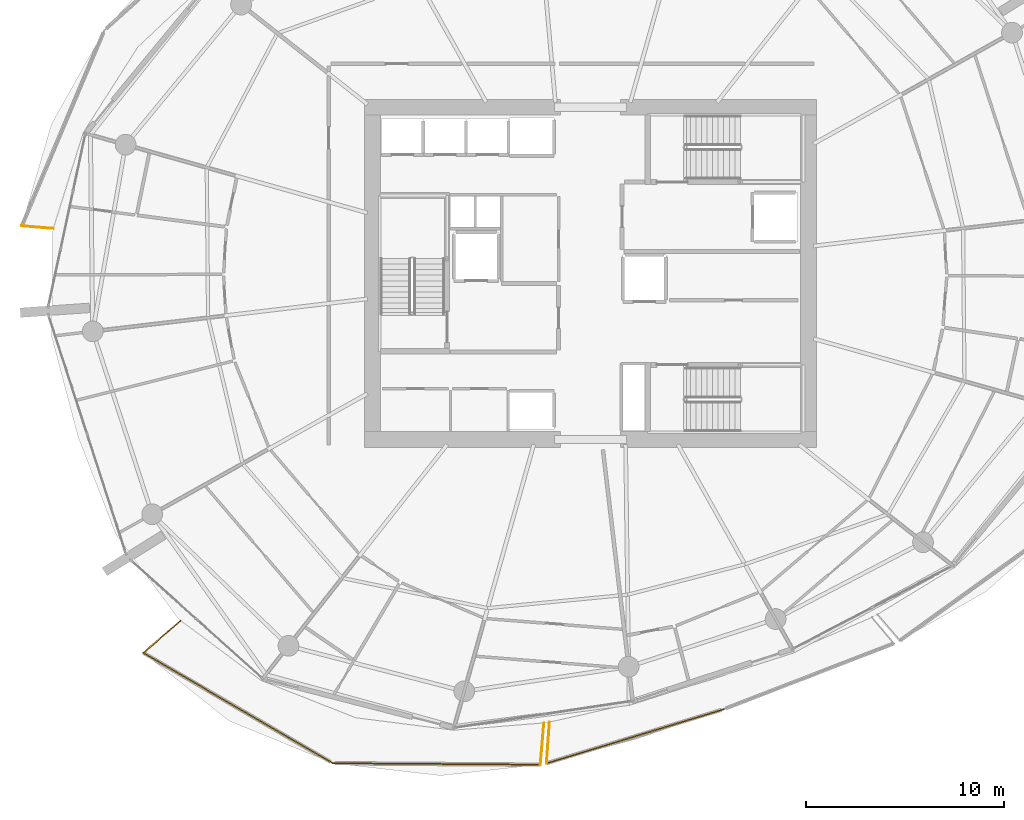
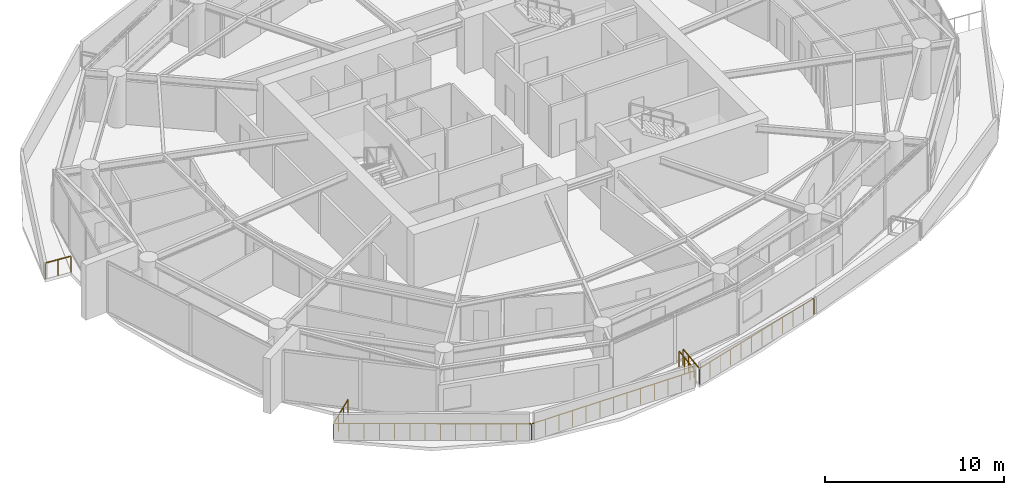
# One storey, part 16 of 20: 7 railings.
"""IFC4 building model written with IfcOpenShell, lengths in metres."""

import ifcopenshell
import ifcopenshell.guid

model = None  # the IFC model being written
_history = None  # IfcOwnerHistory: only IFC2X3 demands one
_inside = {}  # id of a spatial element -> (the spatial element, [elements in it])
_under = {}  # id of a project, library or spatial element -> (it, [spatial elements below it])
_declared = {}  # id of a project -> (the project, [libraries it declares])
_typed = {}  # id of a type object -> (the type object, [elements of that type])
_made_of = {}  # id of a material, layer set ... -> (it, [elements and type objects made of it])


def new_model(schema):
    """Start an empty IFC model of exactly this schema.

    Asked for "IFC4X3", IfcOpenShell would pick the latest addendum, in which some entities
    have other attributes; the version numbers below select the first issue.
    IFC2X3 requires an IfcOwnerHistory on every rooted entity: one is made here for all.
    """
    global model, _history
    if schema == "IFC4X3":
        model = ifcopenshell.file(schema_version=(4, 3, 0, 0))
    else:
        model = ifcopenshell.file(schema=schema)
    _inside.clear()
    _under.clear()
    _declared.clear()
    _typed.clear()
    _made_of.clear()
    _history = None
    if model.schema == "IFC2X3":
        org = make("IfcOrganization", Name="unknown")
        user = make(
            "IfcPersonAndOrganization",
            ThePerson=make("IfcPerson", FamilyName="unknown"),
            TheOrganization=org,
        )
        app = make(
            "IfcApplication",
            ApplicationDeveloper=org,
            Version="unknown",
            ApplicationFullName="unknown",
            ApplicationIdentifier="unknown",
        )
        _history = make(
            "IfcOwnerHistory",
            OwningUser=user,
            OwningApplication=app,
            ChangeAction="ADDED",
            CreationDate=0,
        )
    return model


def make(cls, **values):
    """One entity of the class cls with the attributes given. An attribute that is None is left unset."""
    return model.create_entity(
        cls, **{name: value for name, value in values.items() if value is not None}
    )


def rooted(cls, **values):
    """An entity with a GlobalId (a new one), such as an element, a storey or a relation."""
    return make(cls, GlobalId=ifcopenshell.guid.new(), OwnerHistory=_history, **values)


def si_unit(unit_type, name, prefix=None):
    """IfcSIUnit, for example si_unit("LENGTHUNIT", "METRE", prefix="MILLI")."""
    return make("IfcSIUnit", UnitType=unit_type, Prefix=prefix, Name=name)


def assignment(units):
    """IfcUnitAssignment: the units of a project."""
    return None if units is None else make("IfcUnitAssignment", Units=units)


def point(xyz):
    """IfcCartesianPoint."""
    return None if xyz is None else make("IfcCartesianPoint", Coordinates=xyz)


def direction(xyz):
    """IfcDirection."""
    return None if xyz is None else make("IfcDirection", DirectionRatios=xyz)


def frame(location, z_axis=None, x_axis=None):
    """IfcAxis2Placement3D, a coordinate frame: its origin and axes. An axis left out is left unset."""
    return make(
        "IfcAxis2Placement3D",
        Location=point(location),
        Axis=direction(z_axis),
        RefDirection=direction(x_axis),
    )


def frame_2d(location, x_axis=None):
    """IfcAxis2Placement2D, a coordinate frame in the plane: its origin and x axis."""
    return make(
        "IfcAxis2Placement2D", Location=point(location), RefDirection=direction(x_axis)
    )


def origin():
    """The frame at (0, 0, 0) with its axes left unset."""
    return frame((0.0, 0.0, 0.0))


def origin_2d():
    """The frame at (0, 0) in the plane with its x axis left unset."""
    return frame_2d((0.0, 0.0))


def place(relative_to, where):
    """IfcLocalPlacement: puts the frame where relative to a parent placement (None: the world)."""
    return make(
        "IfcLocalPlacement", PlacementRelTo=relative_to, RelativePlacement=where
    )


def context(
    kind, dimensions, precision=None, world=None, true_north=None, identifier=None
):
    """IfcGeometricRepresentationContext, for example the 3D "Model" context."""
    return make(
        "IfcGeometricRepresentationContext",
        ContextIdentifier=identifier,
        ContextType=kind,
        CoordinateSpaceDimension=dimensions,
        Precision=precision,
        WorldCoordinateSystem=world,
        TrueNorth=true_north,
    )


def subcontext(parent, identifier, kind, view, scale=None):
    """IfcGeometricRepresentationSubContext, for example "Body" below "Model"."""
    return make(
        "IfcGeometricRepresentationSubContext",
        ContextIdentifier=identifier,
        ContextType=kind,
        ParentContext=parent,
        TargetScale=scale,
        TargetView=view,
    )


def project(units=None, contexts=None):
    """IfcProject with its units and contexts."""
    return rooted(
        "IfcProject",
        Name="project",
        RepresentationContexts=contexts,
        UnitsInContext=assignment(units),
    )


def spatial(cls, under=None, at=None, **own):
    """A site, building, storey or space (cls), placed at a placement, below another one or the project."""
    s = rooted(cls, ObjectPlacement=at, **own)
    if under is not None:
        _under.setdefault(under.id(), (under, []))[1].append(s)
    return s


def profile(cls, at=None, kind="AREA", **sizes):
    """A parametric profile (cls). Its sizes go by their IFC names, for example OverallWidth=200.0."""
    return make(cls, ProfileType=kind, Position=at, **sizes)


def rectangle(**sizes):
    """IfcRectangleProfileDef."""
    return profile("IfcRectangleProfileDef", **sizes)


def extrude(swept, where, along, depth):
    """IfcExtrudedAreaSolid: the profile swept, set in the frame where, extruded along a direction by depth."""
    return make(
        "IfcExtrudedAreaSolid",
        SweptArea=swept,
        Position=where,
        ExtrudedDirection=direction(along),
        Depth=depth,
    )


def shape(context_of_items, identifier, shape_type, items):
    """IfcShapeRepresentation: the items that make up one representation, for example the "Body"."""
    return make(
        "IfcShapeRepresentation",
        ContextOfItems=context_of_items,
        RepresentationIdentifier=identifier,
        RepresentationType=shape_type,
        Items=items,
    )


def material(Name=None, Category=None):
    """IfcMaterial."""
    return make("IfcMaterial", Name=Name, Category=Category)


def made_of(thing, what):
    """Note that an element or type object is made of a material, layer set ...; save() writes the relation."""
    if what is not None:
        _made_of.setdefault(what.id(), (what, []))[1].append(thing)
    return thing


def type_object(cls, material=None, **own):
    """A type object (cls), such as IfcWallType, which elements share."""
    return made_of(rooted(cls, **own), material)


def element(
    cls,
    number,
    at=None,
    inside=None,
    cuts=None,
    type_object=None,
    material=None,
    context=None,
    identifier="Body",
    shape_type=None,
    held_by="IfcProductDefinitionShape",
    body=None,
    shapes=None,
    **own,
):
    """One element of the class cls, such as IfcWall. Its Tag is "e" and its number.

    at: its placement. inside: the storey or other place that contains it. cuts: it is an
    opening in that element (IfcRelVoidsElement). A single representation is given by context,
    identifier, shape_type and body (its items); several are given by shapes. held_by: the class
    of the entity that holds the representations. save() writes the other relations.
    """
    e = rooted(cls, Tag="e%d" % number, ObjectPlacement=at, **own)
    if body is not None:
        shapes = [shape(context, identifier, shape_type, body)]
    if shapes is not None:
        e.Representation = make(held_by, Representations=shapes)
    if inside is not None:
        _inside.setdefault(inside.id(), (inside, []))[1].append(e)
    if cuts is not None:
        rooted(
            "IfcRelVoidsElement", RelatingBuildingElement=cuts, RelatedOpeningElement=e
        )
    if type_object is not None:
        _typed.setdefault(type_object.id(), (type_object, []))[1].append(e)
    return made_of(e, material)


def aggregate(whole, parts):
    """IfcRelAggregates: a whole, such as a stair, and the parts it consists of."""
    return rooted("IfcRelAggregates", RelatingObject=whole, RelatedObjects=parts)


def save(model, path):
    """Write the relations noted so far, then the file.

    IfcRelAggregates (storeys below a building ...), IfcRelContainedInSpatialStructure (elements
    in a storey), IfcRelDefinesByType, IfcRelAssociatesMaterial and IfcRelDeclares: one each for
    every whole, place, type object, material and project.
    """
    for whole, parts in _under.values():
        aggregate(whole, parts)
    for where, things in _inside.values():
        rooted(
            "IfcRelContainedInSpatialStructure",
            RelatedElements=things,
            RelatingStructure=where,
        )
    for kind, things in _typed.values():
        rooted("IfcRelDefinesByType", RelatedObjects=things, RelatingType=kind)
    for what, things in _made_of.values():
        rooted("IfcRelAssociatesMaterial", RelatedObjects=things, RelatingMaterial=what)
    for by, libraries in _declared.values():
        rooted("IfcRelDeclares", RelatingContext=by, RelatedDefinitions=libraries)
    model.write(path)


model = new_model("IFC4")

# Units and contexts
model_context = context("Model", 3, precision=1e-05, world=origin(), true_north=direction((0.0, 1.0)))
body_context = subcontext(model_context, "Body", "Model", "MODEL_VIEW")
ifc_project = project(units=[si_unit("LENGTHUNIT", "METRE"), si_unit("AREAUNIT", "SQUARE_METRE"), si_unit("VOLUMEUNIT", "CUBIC_METRE"), si_unit("PLANEANGLEUNIT", "RADIAN"), si_unit("MASSUNIT", "GRAM", prefix="KILO")], contexts=[model_context])

# Site, building, storey
site_placement = place(None, origin())
site = spatial("IfcSite", under=ifc_project, at=site_placement, CompositionType="ELEMENT")
building_placement = place(site_placement, origin())
building = spatial("IfcBuilding", under=site, at=building_placement, Name="Kazma Halo Residences", CompositionType="ELEMENT")
storey_placement = place(building_placement, frame((0.0, 0.0, 150.300048828125)))
storey = spatial("IfcBuildingStorey", under=building, at=storey_placement, Name="L37", CompositionType="ELEMENT", Elevation=150.300048828125)

# Railings
ifc_material = material(Name="Aluminium AW-6063 T6 Brushed Cap Rail", Category="aluminium")
railing_type = type_object("IfcRailingType", Name="RLG-BAL-CAP-1120", PredefinedType="BALUSTRADE", material=ifc_material)
railing_1_placement = place(storey_placement, frame((19.673828125, 44.403564453125, 0.0)))
element("IfcRailing", 1, at=railing_1_placement, inside=storey, type_object=railing_type, Name="L37 NW wave balcony guard 4", PredefinedType="BALUSTRADE", context=body_context, shape_type="SweptSolid", body=[
    extrude(rectangle(XDim=0.050048828125, YDim=0.050048828125, at=origin_2d()), frame((0.04248046875, -0.003662109375, 1.09521484375), z_axis=(0.996413914796, -0.084612708277, 0.0), x_axis=(0.084612708277, 0.996413914796, 0.0)), (0.0, 0.0, 1.0), 1.513427734375),
    extrude(rectangle(XDim=0.0400390625, YDim=0.0400390625, at=origin_2d()), origin(), (0.0, 0.0, 1.0), 1.05810546875),
    extrude(rectangle(XDim=0.0400390625, YDim=0.0400390625, at=origin_2d()), frame((0.79638671875, -0.067626953125, 0.0)), (0.0, 0.0, 1.0), 1.05810546875),
    extrude(rectangle(XDim=0.0400390625, YDim=0.0400390625, at=origin_2d()), frame((1.5927734375, -0.13525390625, 0.0)), (0.0, 0.0, 1.0), 1.05810546875),
])
railing_2_placement = place(storey_placement, frame((27.705322265625, 24.451416015625, 0.0)))
element("IfcRailing", 2, at=railing_2_placement, inside=storey, type_object=railing_type, Name="L37 SW wave balcony guard 1", PredefinedType="BALUSTRADE", context=body_context, shape_type="SweptSolid", body=[
    extrude(rectangle(XDim=0.050048828125, YDim=0.050048828125, at=origin_2d()), frame((-0.0322265625, -0.02783203125, 1.09521484375), z_axis=(-0.756338286359, -0.65418070637, 0.0), x_axis=(0.65418070637, -0.756338286359, 0.0)), (0.0, 0.0, 1.0), 2.407470703125),
    extrude(rectangle(XDim=0.0400390625, YDim=0.0400390625, at=origin_2d()), origin(), (0.0, 0.0, 1.0), 1.05810546875),
    extrude(rectangle(XDim=0.0400390625, YDim=0.0400390625, at=origin_2d()), frame((-0.62841796875, -0.54345703125, 0.0)), (0.0, 0.0, 1.0), 1.05810546875),
    extrude(rectangle(XDim=0.0400390625, YDim=0.0400390625, at=origin_2d()), frame((-1.2568359375, -1.087158203125, 0.0)), (0.0, 0.0, 1.0), 1.05810546875),
    extrude(rectangle(XDim=0.0400390625, YDim=0.0400390625, at=origin_2d()), frame((-1.88525390625, -1.630615234375, 0.0)), (0.0, 0.0, 1.0), 1.05810546875),
])
railing_3_placement = place(storey_placement, frame((25.820068359375, 22.82080078125, 0.0)))
element("IfcRailing", 3, at=railing_3_placement, inside=storey, type_object=railing_type, Name="L37 SW wave balcony guard 2", PredefinedType="BALUSTRADE", context=body_context, shape_type="SweptSolid", body=[
    extrude(rectangle(XDim=0.050048828125, YDim=0.050048828125, at=origin_2d()), frame((0.036865234375, -0.021484375, 1.09521484375), z_axis=(0.863969963727, -0.503543346474, 0.0), x_axis=(0.503543346474, 0.863969963727, 0.0)), (0.0, 0.0, 1.0), 10.98779296875),
    extrude(rectangle(XDim=0.0400390625, YDim=0.0400390625, at=origin_2d()), origin(), (0.0, 0.0, 1.0), 1.05810546875),
    extrude(rectangle(XDim=0.0400390625, YDim=0.0400390625, at=origin_2d()), frame((0.73583984375, -0.428955078125, 0.0)), (0.0, 0.0, 1.0), 1.05810546875),
    extrude(rectangle(XDim=0.0400390625, YDim=0.0400390625, at=origin_2d()), frame((1.4716796875, -0.85791015625, 0.0)), (0.0, 0.0, 1.0), 1.05810546875),
    extrude(rectangle(XDim=0.0400390625, YDim=0.0400390625, at=origin_2d()), frame((2.207763671875, -1.28662109375, 0.0)), (0.0, 0.0, 1.0), 1.05810546875),
    extrude(rectangle(XDim=0.0400390625, YDim=0.0400390625, at=origin_2d()), frame((2.943603515625, -1.715576171875, 0.0)), (0.0, 0.0, 1.0), 1.05810546875),
    extrude(rectangle(XDim=0.0400390625, YDim=0.0400390625, at=origin_2d()), frame((3.679443359375, -2.14453125, 0.0)), (0.0, 0.0, 1.0), 1.05810546875),
    extrude(rectangle(XDim=0.0400390625, YDim=0.0400390625, at=origin_2d()), frame((4.415283203125, -2.573486328125, 0.0)), (0.0, 0.0, 1.0), 1.05810546875),
    extrude(rectangle(XDim=0.0400390625, YDim=0.0400390625, at=origin_2d()), frame((5.1513671875, -3.002197265625, 0.0)), (0.0, 0.0, 1.0), 1.05810546875),
    extrude(rectangle(XDim=0.0400390625, YDim=0.0400390625, at=origin_2d()), frame((5.88720703125, -3.43115234375, 0.0)), (0.0, 0.0, 1.0), 1.05810546875),
    extrude(rectangle(XDim=0.0400390625, YDim=0.0400390625, at=origin_2d()), frame((6.623046875, -3.860107421875, 0.0)), (0.0, 0.0, 1.0), 1.05810546875),
    extrude(rectangle(XDim=0.0400390625, YDim=0.0400390625, at=origin_2d()), frame((7.35888671875, -4.2890625, 0.0)), (0.0, 0.0, 1.0), 1.05810546875),
    extrude(rectangle(XDim=0.0400390625, YDim=0.0400390625, at=origin_2d()), frame((8.094970703125, -4.7177734375, 0.0)), (0.0, 0.0, 1.0), 1.05810546875),
    extrude(rectangle(XDim=0.0400390625, YDim=0.0400390625, at=origin_2d()), frame((8.830810546875, -5.146728515625, 0.0)), (0.0, 0.0, 1.0), 1.05810546875),
    extrude(rectangle(XDim=0.0400390625, YDim=0.0400390625, at=origin_2d()), frame((9.566650390625, -5.57568359375, 0.0)), (0.0, 0.0, 1.0), 1.05810546875),
])
railing_4_placement = place(storey_placement, frame((35.38671875, 17.2451171875, 0.0)))
element("IfcRailing", 4, at=railing_4_placement, inside=storey, type_object=railing_type, Name="L37 SW wave balcony guard 3", PredefinedType="BALUSTRADE", context=body_context, shape_type="SweptSolid", body=[
    extrude(rectangle(XDim=0.050048828125, YDim=0.050048828125, at=origin_2d()), frame((0.04248046875, -0.000244140625, 1.09521484375), z_axis=(0.999973550466, -0.007273126395, 0.0), x_axis=(0.007273126395, 0.999973550466, 0.0)), (0.0, 0.0, 1.0), 10.421630859375),
    extrude(rectangle(XDim=0.0400390625, YDim=0.0400390625, at=origin_2d()), origin(), (0.0, 0.0, 1.0), 1.05810546875),
    extrude(rectangle(XDim=0.0400390625, YDim=0.0400390625, at=origin_2d()), frame((0.87548828125, -0.00634765625, 0.0)), (0.0, 0.0, 1.0), 1.05810546875),
    extrude(rectangle(XDim=0.0400390625, YDim=0.0400390625, at=origin_2d()), frame((1.7509765625, -0.0126953125, 0.0)), (0.0, 0.0, 1.0), 1.05810546875),
    extrude(rectangle(XDim=0.0400390625, YDim=0.0400390625, at=origin_2d()), frame((2.62646484375, -0.01904296875, 0.0)), (0.0, 0.0, 1.0), 1.05810546875),
    extrude(rectangle(XDim=0.0400390625, YDim=0.0400390625, at=origin_2d()), frame((3.502197265625, -0.025390625, 0.0)), (0.0, 0.0, 1.0), 1.05810546875),
    extrude(rectangle(XDim=0.0400390625, YDim=0.0400390625, at=origin_2d()), frame((4.377685546875, -0.03173828125, 0.0)), (0.0, 0.0, 1.0), 1.05810546875),
    extrude(rectangle(XDim=0.0400390625, YDim=0.0400390625, at=origin_2d()), frame((5.253173828125, -0.0380859375, 0.0)), (0.0, 0.0, 1.0), 1.05810546875),
    extrude(rectangle(XDim=0.0400390625, YDim=0.0400390625, at=origin_2d()), frame((6.128662109375, -0.044677734375, 0.0)), (0.0, 0.0, 1.0), 1.05810546875),
    extrude(rectangle(XDim=0.0400390625, YDim=0.0400390625, at=origin_2d()), frame((7.004150390625, -0.051025390625, 0.0)), (0.0, 0.0, 1.0), 1.05810546875),
    extrude(rectangle(XDim=0.0400390625, YDim=0.0400390625, at=origin_2d()), frame((7.8798828125, -0.057373046875, 0.0)), (0.0, 0.0, 1.0), 1.05810546875),
    extrude(rectangle(XDim=0.0400390625, YDim=0.0400390625, at=origin_2d()), frame((8.75537109375, -0.063720703125, 0.0)), (0.0, 0.0, 1.0), 1.05810546875),
    extrude(rectangle(XDim=0.0400390625, YDim=0.0400390625, at=origin_2d()), frame((9.630859375, -0.070068359375, 0.0)), (0.0, 0.0, 1.0), 1.05810546875),
    extrude(rectangle(XDim=0.0400390625, YDim=0.0400390625, at=origin_2d()), frame((10.50634765625, -0.076416015625, 0.0)), (0.0, 0.0, 1.0), 1.05810546875),
])
railing_5_placement = place(storey_placement, frame((45.89306640625, 17.168701171875, 0.0)))
element("IfcRailing", 5, at=railing_5_placement, inside=storey, type_object=railing_type, Name="L37 SW wave balcony guard 4", PredefinedType="BALUSTRADE", context=body_context, shape_type="SweptSolid", body=[
    extrude(rectangle(XDim=0.050048828125, YDim=0.050048828125, at=origin_2d()), frame((0.003662109375, 0.04248046875, 1.09521484375), z_axis=(0.084476046616, 0.996425510286, 0.0), x_axis=(-0.996425510286, 0.084476046616, 0.0)), (0.0, 0.0, 1.0), 2.033447265625),
    extrude(rectangle(XDim=0.0400390625, YDim=0.0400390625, at=origin_2d()), origin(), (0.0, 0.0, 1.0), 1.05810546875),
    extrude(rectangle(XDim=0.0400390625, YDim=0.0400390625, at=origin_2d()), frame((0.0595703125, 0.70361328125, 0.0)), (0.0, 0.0, 1.0), 1.05810546875),
    extrude(rectangle(XDim=0.0400390625, YDim=0.0400390625, at=origin_2d()), frame((0.119384765625, 1.4072265625, 0.0)), (0.0, 0.0, 1.0), 1.05810546875),
    extrude(rectangle(XDim=0.0400390625, YDim=0.0400390625, at=origin_2d()), frame((0.178955078125, 2.11083984375, 0.0)), (0.0, 0.0, 1.0), 1.05810546875),
])
railing_6_placement = place(storey_placement, frame((46.3544921875, 19.32177734375, 0.0)))
element("IfcRailing", 6, at=railing_6_placement, inside=storey, type_object=railing_type, Name="L37 SSE wave balcony guard 1", PredefinedType="BALUSTRADE", context=body_context, shape_type="SweptSolid", body=[
    extrude(rectangle(XDim=0.050048828125, YDim=0.050048828125, at=origin_2d()), frame((-0.003173828125, -0.04248046875, 1.09521484375), z_axis=(-0.072373392649, -0.997377607547, 0.0), x_axis=(0.997377607547, -0.072373392649, 0.0)), (0.0, 0.0, 1.0), 2.009765625),
    extrude(rectangle(XDim=0.0400390625, YDim=0.0400390625, at=origin_2d()), origin(), (0.0, 0.0, 1.0), 1.05810546875),
    extrude(rectangle(XDim=0.0400390625, YDim=0.0400390625, at=origin_2d()), frame((-0.050537109375, -0.696533203125, 0.0)), (0.0, 0.0, 1.0), 1.05810546875),
    extrude(rectangle(XDim=0.0400390625, YDim=0.0400390625, at=origin_2d()), frame((-0.10107421875, -1.392822265625, 0.0)), (0.0, 0.0, 1.0), 1.05810546875),
    extrude(rectangle(XDim=0.0400390625, YDim=0.0400390625, at=origin_2d()), frame((-0.151611328125, -2.08935546875, 0.0)), (0.0, 0.0, 1.0), 1.05810546875),
])
railing_7_placement = place(storey_placement, frame((46.202880859375, 17.232421875, 0.0)))
element("IfcRailing", 7, at=railing_7_placement, inside=storey, type_object=railing_type, Name="L37 SSE wave balcony guard 2", PredefinedType="BALUSTRADE", context=body_context, shape_type="SweptSolid", body=[
    extrude(rectangle(XDim=0.050048828125, YDim=0.050048828125, at=origin_2d()), frame((0.040771484375, 0.012451171875, 1.09521484375), z_axis=(0.956417122002, 0.29200391905, 0.0), x_axis=(-0.29200391905, 0.956417122002, 0.0)), (0.0, 0.0, 1.0), 9.279052734375),
    extrude(rectangle(XDim=0.0400390625, YDim=0.0400390625, at=origin_2d()), origin(), (0.0, 0.0, 1.0), 1.05810546875),
    extrude(rectangle(XDim=0.0400390625, YDim=0.0400390625, at=origin_2d()), frame((0.814208984375, 0.24853515625, 0.0)), (0.0, 0.0, 1.0), 1.05810546875),
    extrude(rectangle(XDim=0.0400390625, YDim=0.0400390625, at=origin_2d()), frame((1.62841796875, 0.4970703125, 0.0)), (0.0, 0.0, 1.0), 1.05810546875),
    extrude(rectangle(XDim=0.0400390625, YDim=0.0400390625, at=origin_2d()), frame((2.442626953125, 0.745849609375, 0.0)), (0.0, 0.0, 1.0), 1.05810546875),
    extrude(rectangle(XDim=0.0400390625, YDim=0.0400390625, at=origin_2d()), frame((3.2568359375, 0.994384765625, 0.0)), (0.0, 0.0, 1.0), 1.05810546875),
    extrude(rectangle(XDim=0.0400390625, YDim=0.0400390625, at=origin_2d()), frame((4.071044921875, 1.242919921875, 0.0)), (0.0, 0.0, 1.0), 1.05810546875),
    extrude(rectangle(XDim=0.0400390625, YDim=0.0400390625, at=origin_2d()), frame((4.885009765625, 1.491455078125, 0.0)), (0.0, 0.0, 1.0), 1.05810546875),
    extrude(rectangle(XDim=0.0400390625, YDim=0.0400390625, at=origin_2d()), frame((5.69921875, 1.739990234375, 0.0)), (0.0, 0.0, 1.0), 1.05810546875),
    extrude(rectangle(XDim=0.0400390625, YDim=0.0400390625, at=origin_2d()), frame((6.513427734375, 1.988525390625, 0.0)), (0.0, 0.0, 1.0), 1.05810546875),
    extrude(rectangle(XDim=0.0400390625, YDim=0.0400390625, at=origin_2d()), frame((7.32763671875, 2.2373046875, 0.0)), (0.0, 0.0, 1.0), 1.05810546875),
    extrude(rectangle(XDim=0.0400390625, YDim=0.0400390625, at=origin_2d()), frame((8.141845703125, 2.48583984375, 0.0)), (0.0, 0.0, 1.0), 1.05810546875),
    extrude(rectangle(XDim=0.0400390625, YDim=0.0400390625, at=origin_2d()), frame((8.9560546875, 2.734375, 0.0)), (0.0, 0.0, 1.0), 1.05810546875),
])

save(model, "model.ifc")
